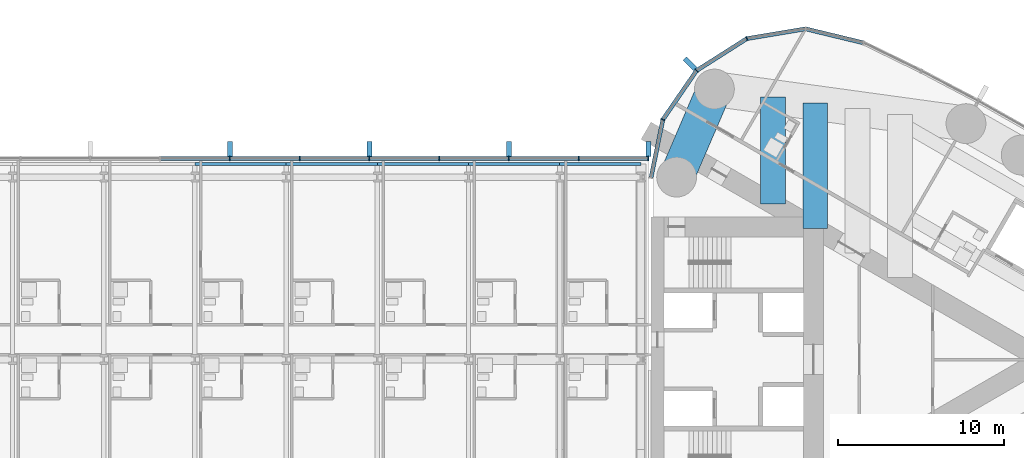
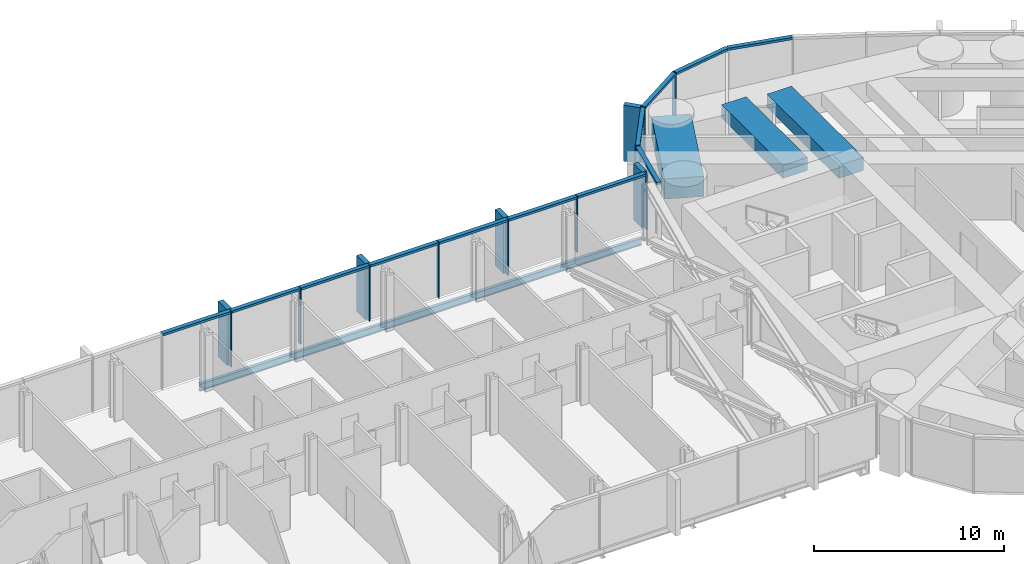
# One storey, part 10 of 23: 27 members, 8 beams, 2 elements without a shape of their own.
"""IFC4 building model written with IfcOpenShell, lengths in metres."""

from ifc_helpers import new_model, si_unit, direction, frame, origin, origin_2d, place, context, subcontext, project, spatial, rectangle, i_section, extrude, material, material_profile, profile_set, type_object, element, aggregate, save


model = new_model("IFC4")

# Units and contexts
model_context = context("Model", 3, precision=1e-05, world=origin(), true_north=direction((0.0, 1.0)))
body_context = subcontext(model_context, "Body", "Model", "MODEL_VIEW")
ifc_project = project(units=[si_unit("LENGTHUNIT", "METRE"), si_unit("AREAUNIT", "SQUARE_METRE"), si_unit("VOLUMEUNIT", "CUBIC_METRE"), si_unit("PLANEANGLEUNIT", "RADIAN"), si_unit("MASSUNIT", "GRAM", prefix="KILO")], contexts=[model_context])

# Site, building, storey
site_placement = place(None, origin())
site = spatial("IfcSite", under=ifc_project, at=site_placement, CompositionType="ELEMENT")
building_placement = place(site_placement, origin())
building = spatial("IfcBuilding", under=site, at=building_placement, Name="Lancet Gate Hotel", CompositionType="ELEMENT")
storey_placement = place(building_placement, frame((0.0, 0.0, 218.89990234375)))
storey = spatial("IfcBuildingStorey", under=building, at=storey_placement, Name="L58", CompositionType="ELEMENT", Elevation=218.89990234375)

# Curtain wall, members
ifc_material_1 = material(Name="Aluminium curtain wall", Category="aluminium")
curtain_wall_type_1 = type_object("IfcCurtainWallType", Name="Tower unitised curtain wall", PredefinedType="USERDEFINED", material=ifc_material_1)
curtain_wall_1_placement = place(storey_placement, origin())
curtain_wall_1 = element("IfcCurtainWall", 1, at=curtain_wall_1_placement, inside=storey, type_object=curtain_wall_type_1, Name="T2 L58 curtain wall 1", ObjectType="UNITISED CURTAIN WALL", PredefinedType="USERDEFINED")
ifc_material_2 = material(Name="Aluminium mullion", Category="aluminium")
ifc_material_profile_1 = material_profile(ifc_material_2, rectangle(XDim=0.06494140625, YDim=0.25, at=origin_2d()), Name="MULLION 65x250")
ifc_profile_set_1 = profile_set([ifc_material_profile_1], Name="Aluminium mullion")
member_type_1 = type_object("IfcMemberType", Name="Aluminium mullion 65x250", PredefinedType="MULLION", material=ifc_profile_set_1)
member_1_placement = place(storey_placement, frame((33.283203125, 19.353515625, 0.0), z_axis=(0.0, 0.0, 1.0), x_axis=(-0.93394321776, -0.357421412343, 0.0)))
member_1 = element("IfcMember", 2, at=member_1_placement, type_object=member_type_1, Name="T2 L58 curtain wall 1 mullion 24", PredefinedType="MULLION", context=body_context, shape_type="SweptSolid", body=[
    extrude(rectangle(XDim=0.06494140625, YDim=0.25, at=origin_2d()), origin(), (0.0, 0.0, 1.0), 3.60009765625),
])
member_2_placement = place(storey_placement, frame((30.25244140625, 17.42626953125, 0.0), z_axis=(0.0, 0.0, 1.0), x_axis=(-0.719809077627, -0.694172090886, 0.0)))
member_2 = element("IfcMember", 3, at=member_2_placement, type_object=member_type_1, Name="T2 L58 curtain wall 1 mullion 25", PredefinedType="MULLION", context=body_context, shape_type="SweptSolid", body=[
    extrude(rectangle(XDim=0.06494140625, YDim=0.25, at=origin_2d()), origin(), (0.0, 0.0, 1.0), 3.60009765625),
])
member_3_placement = place(storey_placement, frame((28.216552734375, 14.467529296875, 0.0), z_axis=(0.0, 0.0, 1.0), x_axis=(-0.391042139098, -0.920372775265, 0.0)))
member_3 = element("IfcMember", 4, at=member_3_placement, type_object=member_type_1, Name="T2 L58 curtain wall 1 mullion 26", PredefinedType="MULLION", context=body_context, shape_type="SweptSolid", body=[
    extrude(rectangle(XDim=0.06494140625, YDim=0.25, at=origin_2d()), origin(), (0.0, 0.0, 1.0), 3.60009765625),
])

ifc_material_3 = material(Name="Aluminium curtain wall", Category="aluminium")
curtain_wall_type_2 = type_object("IfcCurtainWallType", Name="Bridge block curtain wall", PredefinedType="USERDEFINED", material=ifc_material_3)
curtain_wall_2_placement = place(storey_placement, origin())
curtain_wall_2 = element("IfcCurtainWall", 5, at=curtain_wall_2_placement, inside=storey, type_object=curtain_wall_type_2, Name="Bridge block L58 curtain wall N", ObjectType="UNITISED CURTAIN WALL", PredefinedType="USERDEFINED")
member_4_placement = place(storey_placement, frame((27.35009765625, 12.1201171875, 0.0), z_axis=(0.0, 0.0, 1.0), x_axis=(-1.0, 0.0, 0.0)))
member_4 = element("IfcMember", 6, at=member_4_placement, type_object=member_type_1, Name="Bridge block L58 curtain wall N mullion 1", PredefinedType="MULLION", context=body_context, shape_type="SweptSolid", body=[
    extrude(rectangle(XDim=0.06494140625, YDim=0.25, at=origin_2d()), origin(), (0.0, 0.0, 1.0), 3.60009765625),
])
member_5_placement = place(storey_placement, frame((23.142333984375, 12.1201171875, 0.0), z_axis=(0.0, 0.0, 1.0), x_axis=(-1.0, 0.0, 0.0)))
member_5 = element("IfcMember", 7, at=member_5_placement, type_object=member_type_1, Name="Bridge block L58 curtain wall N mullion 2", PredefinedType="MULLION", context=body_context, shape_type="SweptSolid", body=[
    extrude(rectangle(XDim=0.06494140625, YDim=0.25, at=origin_2d()), origin(), (0.0, 0.0, 1.0), 3.60009765625),
])
member_6_placement = place(storey_placement, frame((18.9345703125, 12.1201171875, 0.0), z_axis=(0.0, 0.0, 1.0), x_axis=(-1.0, 0.0, 0.0)))
member_6 = element("IfcMember", 8, at=member_6_placement, type_object=member_type_1, Name="Bridge block L58 curtain wall N mullion 3", PredefinedType="MULLION", context=body_context, shape_type="SweptSolid", body=[
    extrude(rectangle(XDim=0.06494140625, YDim=0.25, at=origin_2d()), origin(), (0.0, 0.0, 1.0), 3.60009765625),
])
member_7_placement = place(storey_placement, frame((14.726806640625, 12.1201171875, 0.0), z_axis=(0.0, 0.0, 1.0), x_axis=(-1.0, 0.0, 0.0)))
member_7 = element("IfcMember", 9, at=member_7_placement, type_object=member_type_1, Name="Bridge block L58 curtain wall N mullion 4", PredefinedType="MULLION", context=body_context, shape_type="SweptSolid", body=[
    extrude(rectangle(XDim=0.06494140625, YDim=0.25, at=origin_2d()), origin(), (0.0, 0.0, 1.0), 3.60009765625),
])
member_8_placement = place(storey_placement, frame((10.519287109375, 12.1201171875, 0.0), z_axis=(0.0, 0.0, 1.0), x_axis=(-1.0, 0.0, 0.0)))
member_8 = element("IfcMember", 10, at=member_8_placement, type_object=member_type_1, Name="Bridge block L58 curtain wall N mullion 5", PredefinedType="MULLION", context=body_context, shape_type="SweptSolid", body=[
    extrude(rectangle(XDim=0.06494140625, YDim=0.25, at=origin_2d()), origin(), (0.0, 0.0, 1.0), 3.60009765625),
])
member_9_placement = place(storey_placement, frame((6.3115234375, 12.1201171875, 0.0), z_axis=(0.0, 0.0, 1.0), x_axis=(-1.0, 0.0, 0.0)))
member_9 = element("IfcMember", 11, at=member_9_placement, type_object=member_type_1, Name="Bridge block L58 curtain wall N mullion 6", PredefinedType="MULLION", context=body_context, shape_type="SweptSolid", body=[
    extrude(rectangle(XDim=0.06494140625, YDim=0.25, at=origin_2d()), origin(), (0.0, 0.0, 1.0), 3.60009765625),
])
member_10_placement = place(storey_placement, frame((2.103759765625, 12.1201171875, 0.0), z_axis=(0.0, 0.0, 1.0), x_axis=(-1.0, 0.0, 0.0)))
member_10 = element("IfcMember", 12, at=member_10_placement, type_object=member_type_1, Name="Bridge block L58 curtain wall N mullion 7", PredefinedType="MULLION", context=body_context, shape_type="SweptSolid", body=[
    extrude(rectangle(XDim=0.06494140625, YDim=0.25, at=origin_2d()), origin(), (0.0, 0.0, 1.0), 3.60009765625),
])

# Member
ifc_material_4 = material(Name="Aluminium transom", Category="aluminium")
ifc_material_profile_2 = material_profile(ifc_material_4, rectangle(XDim=0.25, YDim=0.14990234375, at=origin_2d()), Name="TRANSOM 250x150")
ifc_profile_set_2 = profile_set([ifc_material_profile_2], Name="Aluminium transom")
member_type_2 = type_object("IfcMemberType", Name="Aluminium transom 250x150", PredefinedType="USERDEFINED", material=ifc_profile_set_2)
member_11_placement = place(storey_placement, frame((40.28564453125, 19.10595703125, 3.525146484375), z_axis=(-0.972002653858, 0.234969872307, 0.0), x_axis=(-0.234969872307, -0.972002653858, 0.0)))
member_11 = element("IfcMember", 13, at=member_11_placement, type_object=member_type_2, Name="T2 L58 curtain wall 1 transom 22", ObjectType="TRANSOM", PredefinedType="USERDEFINED", context=body_context, shape_type="SweptSolid", body=[
    extrude(rectangle(XDim=0.25, YDim=0.14990234375, at=origin_2d()), origin(), (0.0, 0.0, 1.0), 3.5263671875),
])

member_12_placement = place(storey_placement, frame((36.794189453125, 19.936767578125, 3.525146484375), z_axis=(-0.986483584545, -0.163860115412, 0.0), x_axis=(0.163860115412, -0.986483584545, 0.0)))
member_12 = element("IfcMember", 14, at=member_12_placement, type_object=member_type_2, Name="T2 L58 curtain wall 1 transom 23", ObjectType="TRANSOM", PredefinedType="USERDEFINED", context=body_context, shape_type="SweptSolid", body=[
    extrude(rectangle(XDim=0.25, YDim=0.14990234375, at=origin_2d()), origin(), (0.0, 0.0, 1.0), 3.526611328125),
])

member_13_placement = place(storey_placement, frame((33.255859375, 19.336181640625, 3.525146484375), z_axis=(-0.84385811281, -0.536566384938, 0.0), x_axis=(0.536566384938, -0.84385811281, 0.0)))
member_13 = element("IfcMember", 15, at=member_13_placement, type_object=member_type_2, Name="T2 L58 curtain wall 1 transom 24", ObjectType="TRANSOM", PredefinedType="USERDEFINED", context=body_context, shape_type="SweptSolid", body=[
    extrude(rectangle(XDim=0.25, YDim=0.14990234375, at=origin_2d()), origin(), (0.0, 0.0, 1.0), 3.52685546875),
])

member_14_placement = place(storey_placement, frame((30.234130859375, 17.399658203125, 3.525146484375), z_axis=(-0.566813768052, -0.82384595183, 0.0), x_axis=(0.82384595183, -0.566813768052, 0.0)))
member_14 = element("IfcMember", 16, at=member_14_placement, type_object=member_type_2, Name="T2 L58 curtain wall 1 transom 25", ObjectType="TRANSOM", PredefinedType="USERDEFINED", context=body_context, shape_type="SweptSolid", body=[
    extrude(rectangle(XDim=0.25, YDim=0.14990234375, at=origin_2d()), origin(), (0.0, 0.0, 1.0), 3.52685546875),
])

member_15_placement = place(storey_placement, frame((28.210205078125, 14.435546875, 3.525146484375), z_axis=(-0.19952323725, -0.979893095086, 0.0), x_axis=(0.979893095086, -0.19952323725, 0.0)))
member_15 = element("IfcMember", 17, at=member_15_placement, type_object=member_type_2, Name="T2 L58 curtain wall 1 transom 26", ObjectType="TRANSOM", PredefinedType="USERDEFINED", context=body_context, shape_type="SweptSolid", body=[
    extrude(rectangle(XDim=0.25, YDim=0.14990234375, at=origin_2d()), origin(), (0.0, 0.0, 1.0), 3.5263671875),
])

member_16_placement = place(storey_placement, frame((27.3173828125, 12.1201171875, 3.525146484375), z_axis=(-1.0, 0.0, 0.0), x_axis=(0.0, -1.0, 0.0)))
member_16 = element("IfcMember", 18, at=member_16_placement, type_object=member_type_2, Name="Bridge block L58 curtain wall N transom 1", ObjectType="TRANSOM", PredefinedType="USERDEFINED", context=body_context, shape_type="SweptSolid", body=[
    extrude(rectangle(XDim=0.25, YDim=0.14990234375, at=origin_2d()), origin(), (0.0, 0.0, 1.0), 4.142578125),
])

member_17_placement = place(storey_placement, frame((23.10986328125, 12.1201171875, 3.525146484375), z_axis=(-1.0, 0.0, 0.0), x_axis=(0.0, -1.0, 0.0)))
member_17 = element("IfcMember", 19, at=member_17_placement, type_object=member_type_2, Name="Bridge block L58 curtain wall N transom 2", ObjectType="TRANSOM", PredefinedType="USERDEFINED", context=body_context, shape_type="SweptSolid", body=[
    extrude(rectangle(XDim=0.25, YDim=0.14990234375, at=origin_2d()), origin(), (0.0, 0.0, 1.0), 4.142822265625),
])

member_18_placement = place(storey_placement, frame((18.902099609375, 12.1201171875, 3.525146484375), z_axis=(-1.0, 0.0, 0.0), x_axis=(0.0, -1.0, 0.0)))
member_18 = element("IfcMember", 20, at=member_18_placement, type_object=member_type_2, Name="Bridge block L58 curtain wall N transom 3", ObjectType="TRANSOM", PredefinedType="USERDEFINED", context=body_context, shape_type="SweptSolid", body=[
    extrude(rectangle(XDim=0.25, YDim=0.14990234375, at=origin_2d()), origin(), (0.0, 0.0, 1.0), 4.142578125),
])

member_19_placement = place(storey_placement, frame((14.6943359375, 12.1201171875, 3.525146484375), z_axis=(-1.0, 0.0, 0.0), x_axis=(0.0, -1.0, 0.0)))
member_19 = element("IfcMember", 21, at=member_19_placement, type_object=member_type_2, Name="Bridge block L58 curtain wall N transom 4", ObjectType="TRANSOM", PredefinedType="USERDEFINED", context=body_context, shape_type="SweptSolid", body=[
    extrude(rectangle(XDim=0.25, YDim=0.14990234375, at=origin_2d()), origin(), (0.0, 0.0, 1.0), 4.142578125),
])

member_20_placement = place(storey_placement, frame((10.48681640625, 12.1201171875, 3.525146484375), z_axis=(-1.0, 0.0, 0.0), x_axis=(0.0, -1.0, 0.0)))
member_20 = element("IfcMember", 22, at=member_20_placement, type_object=member_type_2, Name="Bridge block L58 curtain wall N transom 5", ObjectType="TRANSOM", PredefinedType="USERDEFINED", context=body_context, shape_type="SweptSolid", body=[
    extrude(rectangle(XDim=0.25, YDim=0.14990234375, at=origin_2d()), origin(), (0.0, 0.0, 1.0), 4.142822265625),
])

member_21_placement = place(storey_placement, frame((6.279052734375, 12.1201171875, 3.525146484375), z_axis=(-1.0, 0.0, 0.0), x_axis=(0.0, -1.0, 0.0)))
member_21 = element("IfcMember", 23, at=member_21_placement, type_object=member_type_2, Name="Bridge block L58 curtain wall N transom 6", ObjectType="TRANSOM", PredefinedType="USERDEFINED", context=body_context, shape_type="SweptSolid", body=[
    extrude(rectangle(XDim=0.25, YDim=0.14990234375, at=origin_2d()), origin(), (0.0, 0.0, 1.0), 4.142822265625),
])

member_22_placement = place(storey_placement, frame((2.0712890625, 12.1201171875, 3.525146484375), z_axis=(-1.0, 0.0, 0.0), x_axis=(0.0, -1.0, 0.0)))
member_22 = element("IfcMember", 24, at=member_22_placement, type_object=member_type_2, Name="Bridge block L58 curtain wall N transom 7", ObjectType="TRANSOM", PredefinedType="USERDEFINED", context=body_context, shape_type="SweptSolid", body=[
    extrude(rectangle(XDim=0.25, YDim=0.14990234375, at=origin_2d()), origin(), (0.0, 0.0, 1.0), 4.142578125),
])

# Beams
ifc_material_5 = material(Name="Steel S355", Category="steel")
ifc_material_profile_3 = material_profile(ifc_material_5, i_section(OverallWidth=0.19140625, OverallDepth=0.4599609375, WebThickness=0.010009765625, FlangeThickness=0.01611328125, FilletRadius=0.01025390625, at=origin_2d()), Name="UKB 457x191x82")
ifc_profile_set_3 = profile_set([ifc_material_profile_3], Name="Steel S355")
beam_type_1 = type_object("IfcBeamType", Name="Block edge beam UKB 457x191x82", PredefinedType="SPANDREL", material=ifc_profile_set_3)
for number, where, z_axis, x_axis, name in (
    (25, (0.0, 11.800048828125, -0.429931640625), (1.0, 0.0, 0.0), (0.0, 1.0, 0.0), "Block edge beam N 5-6 L58"),
    (26, (5.5, 11.800048828125, -0.429931640625), (1.0, 0.0, 0.0), (0.0, 1.0, 0.0), "Block edge beam N 6-7 L58"),
    (27, (11.0, 11.800048828125, -0.429931640625), (1.0, 0.0, 0.0), (0.0, 1.0, 0.0), "Block edge beam N 7-8 L58"),
    (28, (16.5, 11.800048828125, -0.429931640625), (1.0, 0.0, 0.0), (0.0, 1.0, 0.0), "Block edge beam N 8-9 L58"),
):
    element("IfcBeam", number, at=place(storey_placement, frame(where, z_axis=z_axis, x_axis=x_axis)), inside=storey, type_object=beam_type_1, Name=name, PredefinedType="SPANDREL", context=body_context, shape_type="SweptSolid", body=[
        extrude(i_section(OverallWidth=0.19140625, OverallDepth=0.4599609375, WebThickness=0.010009765625, FlangeThickness=0.01611328125, FilletRadius=0.01025390625, at=origin_2d()), origin(), (0.0, 0.0, 1.0), 5.5),
    ])
beam_1_placement = place(storey_placement, frame((22.0, 11.800048828125, -0.429931640625), z_axis=(1.0, 0.0, 0.0), x_axis=(0.0, 1.0, 0.0)))
element("IfcBeam", 29, at=beam_1_placement, inside=storey, type_object=beam_type_1, Name="Block edge beam N 9-10 L58", PredefinedType="SPANDREL", context=body_context, shape_type="SweptSolid", body=[
    extrude(i_section(OverallWidth=0.19140625, OverallDepth=0.4599609375, WebThickness=0.010009765625, FlangeThickness=0.01611328125, FilletRadius=0.01025390625, at=origin_2d()), origin(), (0.0, 0.0, 1.0), 4.89990234375),
])
ifc_material_6 = material(Name="Concrete C50/60", Category="concrete")
ifc_material_profile_4 = material_profile(ifc_material_6, rectangle(XDim=2.10009765625, YDim=1.300048828125, at=origin_2d()), Name="RC 2100x1300")
ifc_profile_set_4 = profile_set([ifc_material_profile_4], Name="Concrete C50/60")
beam_type_2 = type_object("IfcBeamType", Name="Edge beam RC 2100x1300", PredefinedType="SPANDREL", material=ifc_profile_set_4)
beam_2_placement = place(storey_placement, frame((29.050048828125, 11.0, 2.7001953125), z_axis=(0.394250694824, 0.91900293233, 0.0), x_axis=(-0.91900293233, 0.394250694824, 0.0)))
element("IfcBeam", 30, at=beam_2_placement, inside=storey, type_object=beam_type_2, Name="T2 edge beam EB1 L58", PredefinedType="SPANDREL", context=body_context, shape_type="SweptSolid", body=[
    extrude(rectangle(XDim=2.10009765625, YDim=1.300048828125, at=origin_2d()), origin(), (0.0, 0.0, 1.0), 5.77880859375),
])

# Member
ifc_material_7 = material(Name="Precast concrete C50/60", Category="concrete")
ifc_material_profile_5 = material_profile(ifc_material_7, rectangle(XDim=0.300048828125, YDim=0.89990234375, at=origin_2d()), Name="FIN 300x900")
ifc_profile_set_5 = profile_set([ifc_material_profile_5], Name="Precast concrete C50/60")
member_type_3 = type_object("IfcMemberType", Name="Exposed concrete fin 300x900", PredefinedType="USERDEFINED", material=ifc_profile_set_5)
member_23_placement = place(storey_placement, frame((29.853271484375, 17.84033203125, 0.0), z_axis=(0.0, 0.0, 1.0), x_axis=(-0.719809077627, -0.694172090886, 0.0)))
member_23 = element("IfcMember", 31, at=member_23_placement, type_object=member_type_3, Name="T2 L58 curtain wall 1 fin 25", ObjectType="FIN", PredefinedType="USERDEFINED", context=body_context, shape_type="SweptSolid", body=[
    extrude(rectangle(XDim=0.300048828125, YDim=0.89990234375, at=origin_2d()), origin(), (0.0, 0.0, 1.0), 3.60009765625),
])

aggregate(curtain_wall_1, [member_1, member_2, member_23, member_3, member_11, member_12, member_13, member_14, member_15])

member_24_placement = place(storey_placement, frame((27.35009765625, 12.695068359375, 0.0), z_axis=(0.0, 0.0, 1.0), x_axis=(-1.0, 0.0, 0.0)))
member_24 = element("IfcMember", 32, at=member_24_placement, type_object=member_type_3, Name="Bridge block L58 curtain wall N fin 1", ObjectType="FIN", PredefinedType="USERDEFINED", context=body_context, shape_type="SweptSolid", body=[
    extrude(rectangle(XDim=0.300048828125, YDim=0.89990234375, at=origin_2d()), origin(), (0.0, 0.0, 1.0), 3.60009765625),
])

member_25_placement = place(storey_placement, frame((18.9345703125, 12.695068359375, 0.0), z_axis=(0.0, 0.0, 1.0), x_axis=(-1.0, 0.0, 0.0)))
member_25 = element("IfcMember", 33, at=member_25_placement, type_object=member_type_3, Name="Bridge block L58 curtain wall N fin 3", ObjectType="FIN", PredefinedType="USERDEFINED", context=body_context, shape_type="SweptSolid", body=[
    extrude(rectangle(XDim=0.300048828125, YDim=0.89990234375, at=origin_2d()), origin(), (0.0, 0.0, 1.0), 3.60009765625),
])

member_26_placement = place(storey_placement, frame((10.519287109375, 12.695068359375, 0.0), z_axis=(0.0, 0.0, 1.0), x_axis=(-1.0, 0.0, 0.0)))
member_26 = element("IfcMember", 34, at=member_26_placement, type_object=member_type_3, Name="Bridge block L58 curtain wall N fin 5", ObjectType="FIN", PredefinedType="USERDEFINED", context=body_context, shape_type="SweptSolid", body=[
    extrude(rectangle(XDim=0.300048828125, YDim=0.89990234375, at=origin_2d()), origin(), (0.0, 0.0, 1.0), 3.60009765625),
])

member_27_placement = place(storey_placement, frame((2.103759765625, 12.695068359375, 0.0), z_axis=(0.0, 0.0, 1.0), x_axis=(-1.0, 0.0, 0.0)))
member_27 = element("IfcMember", 35, at=member_27_placement, type_object=member_type_3, Name="Bridge block L58 curtain wall N fin 7", ObjectType="FIN", PredefinedType="USERDEFINED", context=body_context, shape_type="SweptSolid", body=[
    extrude(rectangle(XDim=0.300048828125, YDim=0.89990234375, at=origin_2d()), origin(), (0.0, 0.0, 1.0), 3.60009765625),
])

aggregate(curtain_wall_2, [member_4, member_24, member_5, member_6, member_25, member_7, member_8, member_26, member_9, member_10, member_27, member_16, member_17, member_18, member_19, member_20, member_21, member_22])

# Beams
ifc_material_8 = material(Name="Concrete C50/60", Category="concrete")
ifc_material_profile_6 = material_profile(ifc_material_8, rectangle(XDim=1.5, YDim=0.85009765625, at=origin_2d()), Name="RC 1500x850")
ifc_profile_set_6 = profile_set([ifc_material_profile_6], Name="Concrete C50/60")
beam_type_3 = type_object("IfcBeamType", Name="Floor beam RC 1500x850", PredefinedType="BEAM", material=ifc_profile_set_6)
beam_3_placement = place(storey_placement, frame((34.859619140625, 9.377685546875, 2.925048828125), z_axis=(0.0, 1.0, 0.0), x_axis=(-1.0, 0.0, 0.0)))
element("IfcBeam", 36, at=beam_3_placement, inside=storey, type_object=beam_type_3, Name="T2 floor beam F02N L58", PredefinedType="BEAM", context=body_context, shape_type="SweptSolid", body=[
    extrude(rectangle(XDim=1.5, YDim=0.85009765625, at=origin_2d()), origin(), (0.0, 0.0, 1.0), 6.44775390625),
])
beam_4_placement = place(storey_placement, frame((37.412841796875, 7.903564453125, 2.925048828125), z_axis=(0.0, 1.0, 0.0), x_axis=(-1.0, 0.0, 0.0)))
element("IfcBeam", 37, at=beam_4_placement, inside=storey, type_object=beam_type_3, Name="T2 floor beam F04N L58", PredefinedType="BEAM", context=body_context, shape_type="SweptSolid", body=[
    extrude(rectangle(XDim=1.5, YDim=0.85009765625, at=origin_2d()), origin(), (0.0, 0.0, 1.0), 7.57080078125),
])

save(model, "model.ifc")
